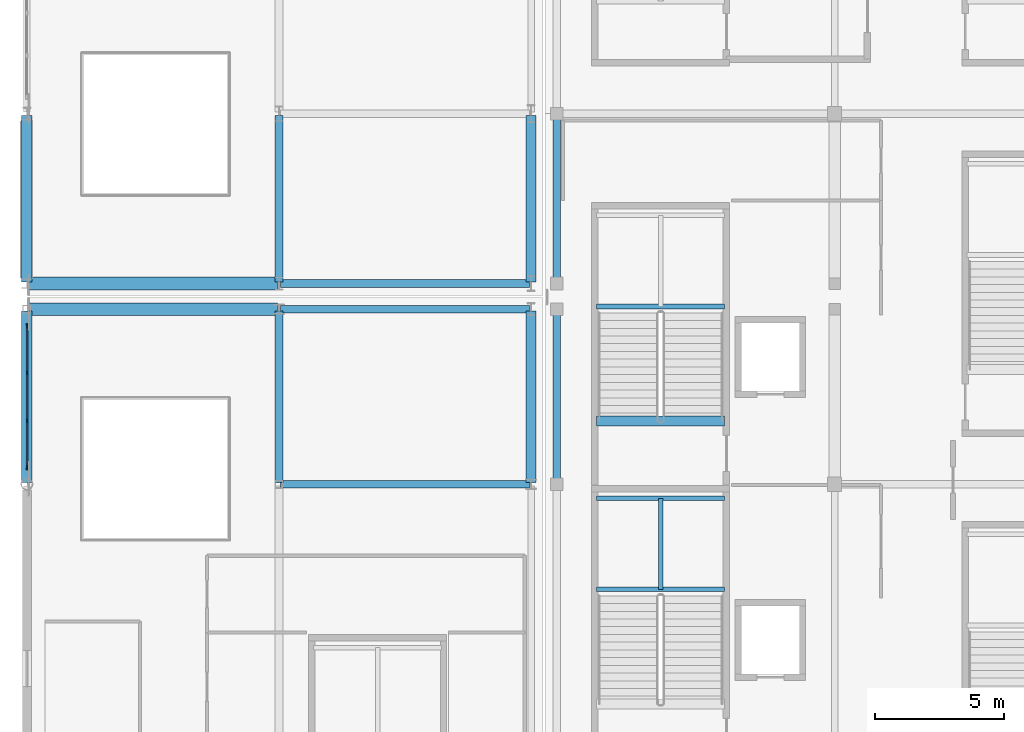
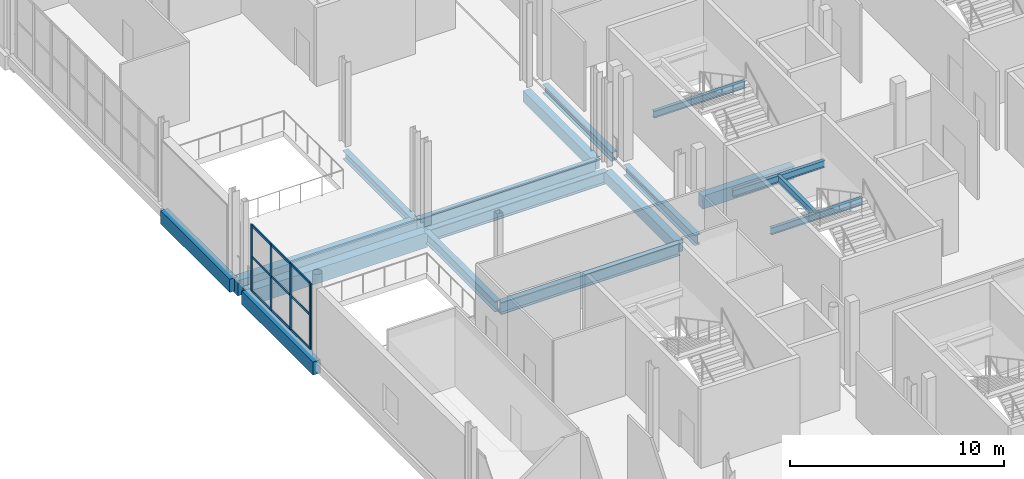
# One storey, part 26 of 129: 18 beams, 13 members, 1 element without a shape of its own.
"""IFC4 building model written with IfcOpenShell, lengths in metres."""

from ifc_helpers import new_model, si_unit, direction, frame, origin, origin_2d, place, context, subcontext, project, spatial, rectangle, i_section, extrude, material, material_profile, profile_set, type_object, element, aggregate, save


model = new_model("IFC4")

# Units and contexts
model_context = context("Model", 3, precision=1e-05, world=origin(), true_north=direction((0.0, 1.0)))
body_context = subcontext(model_context, "Body", "Model", "MODEL_VIEW")
ifc_project = project(units=[si_unit("LENGTHUNIT", "METRE"), si_unit("AREAUNIT", "SQUARE_METRE"), si_unit("VOLUMEUNIT", "CUBIC_METRE"), si_unit("PLANEANGLEUNIT", "RADIAN"), si_unit("MASSUNIT", "GRAM", prefix="KILO")], contexts=[model_context])

# Site, building, storey
site_placement = place(None, origin())
site = spatial("IfcSite", under=ifc_project, at=site_placement, CompositionType="ELEMENT")
building_placement = place(site_placement, origin())
building = spatial("IfcBuilding", under=site, at=building_placement, Name="Koshinbarg Plaza Stadium", CompositionType="ELEMENT")
storey_placement = place(building_placement, frame((0.0, 0.0, 5.39990234375)))
storey = spatial("IfcBuildingStorey", under=building, at=storey_placement, Name="L01", CompositionType="ELEMENT", Elevation=5.39990234375)

# Beams
ifc_material_1 = material(Name="Concrete C40/50", Category="concrete")
ifc_material_profile_1 = material_profile(ifc_material_1, rectangle(XDim=0.39990234375, YDim=0.64990234375, at=origin_2d()), Name="RC 400x650")
ifc_profile_set_1 = profile_set([ifc_material_profile_1], Name="Concrete C40/50")
beam_type_1 = type_object("IfcBeamType", Name="BM-RCG-02", PredefinedType="SPANDREL", material=ifc_profile_set_1)
beam_1_placement = place(storey_placement, frame((23.60009765625, 68.760009765625, -0.64501953125), z_axis=(0.0, 1.0, 0.0), x_axis=(-1.0, 0.0, 0.0)))
element("IfcBeam", 1, at=beam_1_placement, inside=storey, type_object=beam_type_1, Name="L01 Y girder 4/J-K", PredefinedType="SPANDREL", context=body_context, shape_type="SweptSolid", body=[
    extrude(rectangle(XDim=0.39990234375, YDim=0.64990234375, at=origin_2d()), origin(), (0.0, 0.0, 1.0), 6.679931640625),
])
beam_2_placement = place(storey_placement, frame((23.60009765625, 76.56005859375, -0.64501953125), z_axis=(0.0, 1.0, 0.0), x_axis=(-1.0, 0.0, 0.0)))
element("IfcBeam", 2, at=beam_2_placement, inside=storey, type_object=beam_type_1, Name="L01 Y girder 4/L-M", PredefinedType="SPANDREL", context=body_context, shape_type="SweptSolid", body=[
    extrude(rectangle(XDim=0.39990234375, YDim=0.64990234375, at=origin_2d()), origin(), (0.0, 0.0, 1.0), 6.47998046875),
])
ifc_material_profile_2 = material_profile(ifc_material_1, rectangle(XDim=0.39990234375, YDim=0.75, at=origin_2d()), Name="RC 400x750")
ifc_profile_set_2 = profile_set([ifc_material_profile_2], Name="Concrete C40/50")
beam_type_2 = type_object("IfcBeamType", Name="BM-RCG-03", PredefinedType="USERDEFINED", material=ifc_profile_set_2)
beam_3_placement = place(storey_placement, frame((4.0, 68.760009765625, -0.69482421875), z_axis=(0.0, 1.0, 0.0), x_axis=(-1.0, 0.0, 0.0)))
element("IfcBeam", 3, at=beam_3_placement, inside=storey, type_object=beam_type_2, Name="L01 Y girder 2/J-K", ObjectType="GIRDER", PredefinedType="USERDEFINED", context=body_context, shape_type="SweptSolid", body=[
    extrude(rectangle(XDim=0.39990234375, YDim=0.75, at=origin_2d()), origin(), (0.0, 0.0, 1.0), 6.679931640625),
])
beam_4_placement = place(storey_placement, frame((4.0, 76.56005859375, -0.69482421875), z_axis=(0.0, 1.0, 0.0), x_axis=(-1.0, 0.0, 0.0)))
element("IfcBeam", 4, at=beam_4_placement, inside=storey, type_object=beam_type_2, Name="L01 Y girder 2/L-M", ObjectType="GIRDER", PredefinedType="USERDEFINED", context=body_context, shape_type="SweptSolid", body=[
    extrude(rectangle(XDim=0.39990234375, YDim=0.75, at=origin_2d()), origin(), (0.0, 0.0, 1.0), 6.47998046875),
])
beam_5_placement = place(storey_placement, frame((26.14990234375, 71.159912109375, -0.375), z_axis=(1.0, 0.0, 0.0), x_axis=(0.0, 1.0, 0.0)))
element("IfcBeam", 5, at=beam_5_placement, inside=storey, type_object=beam_type_2, Name="L01 stair landing header beam C04", ObjectType="GIRDER", PredefinedType="USERDEFINED", context=body_context, shape_type="SweptSolid", body=[
    extrude(rectangle(XDim=0.39990234375, YDim=0.75, at=origin_2d()), origin(), (0.0, 0.0, 1.0), 4.97021484375),
])
ifc_material_profile_3 = material_profile(ifc_material_1, rectangle(XDim=0.5, YDim=0.85009765625, at=origin_2d()), Name="RC 500x850")
ifc_profile_set_3 = profile_set([ifc_material_profile_3], Name="Concrete C40/50")
beam_type_3 = type_object("IfcBeamType", Name="BM-RCG-05", PredefinedType="USERDEFINED", material=ifc_profile_set_3)
for number, where, z_axis, x_axis, name in (
    (6, (4.06005859375, 75.5, -0.744873046875), (1.0, 0.0, 0.0), (0.0, 1.0, 0.0), "L01 X girder K/2-3"),
    (7, (4.06005859375, 76.5, -0.744873046875), (1.0, 0.0, 0.0), (0.0, 1.0, 0.0), "L01 X girder L/2-3"),
):
    element("IfcBeam", number, at=place(storey_placement, frame(where, z_axis=z_axis, x_axis=x_axis)), inside=storey, type_object=beam_type_3, Name=name, ObjectType="GIRDER", PredefinedType="USERDEFINED", context=body_context, shape_type="SweptSolid", body=[
        extrude(rectangle(XDim=0.5, YDim=0.85009765625, at=origin_2d()), origin(), (0.0, 0.0, 1.0), 9.679931640625),
    ])
ifc_material_2 = material(Name="Steel S355", Category="steel")
ifc_material_profile_4 = material_profile(ifc_material_2, i_section(OverallWidth=0.179931640625, OverallDepth=0.39990234375, WebThickness=0.008544921875, FlangeThickness=0.013427734375, at=origin_2d()), Name="IPE 400")
ifc_profile_set_4 = profile_set([ifc_material_profile_4], Name="Steel S355")
beam_type_4 = type_object("IfcBeamType", Name="BM-SBM-01", PredefinedType="BEAM", material=ifc_profile_set_4)
for number, where, z_axis, x_axis, name in (
    (8, (26.14990234375, 64.610107421875, 1.880126953125), (1.0, 0.0, 0.0), (0.0, 1.0, 0.0), "L01 Protected Exit Stair C03 landing trimmer beam 1"),
    (9, (26.14990234375, 68.14990234375, 1.880126953125), (1.0, 0.0, 0.0), (0.0, 1.0, 0.0), "L01 Protected Exit Stair C03 landing trimmer beam 2"),
):
    element("IfcBeam", number, at=place(storey_placement, frame(where, z_axis=z_axis, x_axis=x_axis)), inside=storey, type_object=beam_type_4, Name=name, PredefinedType="BEAM", context=body_context, shape_type="SweptSolid", body=[
        extrude(i_section(OverallWidth=0.179931640625, OverallDepth=0.39990234375, WebThickness=0.008544921875, FlangeThickness=0.013427734375, at=origin_2d()), origin(), (0.0, 0.0, 1.0), 4.97021484375),
    ])
beam_6_placement = place(storey_placement, frame((28.635009765625, 64.610107421875, 1.880126953125), z_axis=(0.0, 1.0, 0.0), x_axis=(-1.0, 0.0, 0.0)))
element("IfcBeam", 10, at=beam_6_placement, inside=storey, type_object=beam_type_4, Name="L01 Protected Exit Stair C03 landing trimmer beam 3", PredefinedType="BEAM", context=body_context, shape_type="SweptSolid", body=[
    extrude(i_section(OverallWidth=0.179931640625, OverallDepth=0.39990234375, WebThickness=0.008544921875, FlangeThickness=0.013427734375, at=origin_2d()), origin(), (0.0, 0.0, 1.0), 3.539794921875),
])
beam_7_placement = place(storey_placement, frame((26.14990234375, 75.610107421875, 1.880126953125), z_axis=(1.0, 0.0, 0.0), x_axis=(0.0, 1.0, 0.0)))
element("IfcBeam", 11, at=beam_7_placement, inside=storey, type_object=beam_type_4, Name="L01 Protected Exit Stair C04 landing trimmer beam 1", PredefinedType="BEAM", context=body_context, shape_type="SweptSolid", body=[
    extrude(i_section(OverallWidth=0.179931640625, OverallDepth=0.39990234375, WebThickness=0.008544921875, FlangeThickness=0.013427734375, at=origin_2d()), origin(), (0.0, 0.0, 1.0), 4.97021484375),
])
ifc_material_profile_5 = material_profile(ifc_material_2, i_section(OverallWidth=0.300048828125, OverallDepth=0.5, WebThickness=0.014404296875, FlangeThickness=0.028076171875, at=origin_2d()), Name="HEB 500")
ifc_profile_set_5 = profile_set([ifc_material_profile_5], Name="Steel S355")
beam_type_5 = type_object("IfcBeamType", Name="BM-SGIR-01", PredefinedType="USERDEFINED", material=ifc_profile_set_5)
for number, where, z_axis, x_axis, name in (
    (12, (13.800048828125, 76.56005859375, -0.56982421875), (0.0, 1.0, 0.0), (-1.0, 0.0, 0.0), "L01 Y girder 3/L-M"),
    (13, (24.60009765625, 76.56005859375, -0.56982421875), (0.0, 1.0, 0.0), (-1.0, 0.0, 0.0), "L01 Y girder 5/L-M"),
):
    element("IfcBeam", number, at=place(storey_placement, frame(where, z_axis=z_axis, x_axis=x_axis)), inside=storey, type_object=beam_type_5, Name=name, ObjectType="GIRDER", PredefinedType="USERDEFINED", context=body_context, shape_type="SweptSolid", body=[
        extrude(i_section(OverallWidth=0.300048828125, OverallDepth=0.5, WebThickness=0.014404296875, FlangeThickness=0.028076171875, at=origin_2d()), origin(), (0.0, 0.0, 1.0), 6.47998046875),
    ])
ifc_material_profile_6 = material_profile(ifc_material_2, i_section(OverallWidth=0.300048828125, OverallDepth=0.60009765625, WebThickness=0.015380859375, FlangeThickness=0.030029296875, at=origin_2d()), Name="HEB 600")
ifc_profile_set_6 = profile_set([ifc_material_profile_6], Name="Steel S355")
beam_type_6 = type_object("IfcBeamType", Name="BM-SGIR-02", PredefinedType="USERDEFINED", material=ifc_profile_set_6)
for number, where, z_axis, x_axis, name in (
    (14, (13.800048828125, 68.760009765625, -0.619873046875), (0.0, 1.0, 0.0), (-1.0, 0.0, 0.0), "L01 Y girder 3/J-K"),
    (15, (24.60009765625, 68.760009765625, -0.619873046875), (0.0, 1.0, 0.0), (-1.0, 0.0, 0.0), "L01 Y girder 5/J-K"),
):
    element("IfcBeam", number, at=place(storey_placement, frame(where, z_axis=z_axis, x_axis=x_axis)), inside=storey, type_object=beam_type_6, Name=name, ObjectType="GIRDER", PredefinedType="USERDEFINED", context=body_context, shape_type="SweptSolid", body=[
        extrude(i_section(OverallWidth=0.300048828125, OverallDepth=0.60009765625, WebThickness=0.015380859375, FlangeThickness=0.030029296875, at=origin_2d()), origin(), (0.0, 0.0, 1.0), 6.679931640625),
    ])
ifc_material_profile_7 = material_profile(ifc_material_2, i_section(OverallWidth=0.300048828125, OverallDepth=0.699951171875, WebThickness=0.01708984375, FlangeThickness=0.031982421875, at=origin_2d()), Name="HEB 700")
ifc_profile_set_7 = profile_set([ifc_material_profile_7], Name="Steel S355")
beam_type_7 = type_object("IfcBeamType", Name="BM-SGIR-03", PredefinedType="USERDEFINED", material=ifc_profile_set_7)
for number, where, z_axis, x_axis, name in (
    (16, (13.860107421875, 68.699951171875, -0.669921875), (1.0, 0.0, 0.0), (0.0, 1.0, 0.0), "L01 X girder J/3-4"),
    (17, (13.860107421875, 75.5, -0.669921875), (1.0, 0.0, 0.0), (0.0, 1.0, 0.0), "L01 X girder K/3-4"),
    (18, (13.860107421875, 76.5, -0.669921875), (1.0, 0.0, 0.0), (0.0, 1.0, 0.0), "L01 X girder L/3-4"),
):
    element("IfcBeam", number, at=place(storey_placement, frame(where, z_axis=z_axis, x_axis=x_axis)), inside=storey, type_object=beam_type_7, Name=name, ObjectType="GIRDER", PredefinedType="USERDEFINED", context=body_context, shape_type="SweptSolid", body=[
        extrude(i_section(OverallWidth=0.300048828125, OverallDepth=0.699951171875, WebThickness=0.01708984375, FlangeThickness=0.031982421875, at=origin_2d()), origin(), (0.0, 0.0, 1.0), 9.679931640625),
    ])

# Curtain wall, members
ifc_material_3 = material(Name="Thermally broken anodised aluminium and low-E double glazing", Category="aluminium")
curtain_wall_type = type_object("IfcCurtainWallType", Name="CW-SYS-06", PredefinedType="NOTDEFINED", material=ifc_material_3)
curtain_wall_placement = place(storey_placement, origin())
curtain_wall = element("IfcCurtainWall", 19, at=curtain_wall_placement, inside=storey, type_object=curtain_wall_type, Name="L01 unitised curtain wall CW-L01-005", PredefinedType="NOTDEFINED")
ifc_material_4 = material(Name="Anodised aluminium mullion", Category="aluminium")
ifc_material_profile_8 = material_profile(ifc_material_4, rectangle(XDim=0.06005859375, YDim=0.159912109375, at=origin_2d()), Name="ALU 60x160")
ifc_profile_set_8 = profile_set([ifc_material_profile_8], Name="Anodised aluminium mullion")
member_type_1 = type_object("IfcMemberType", Name="CW-MUL-02", PredefinedType="MULLION", material=ifc_profile_set_8)
member_1_placement = place(storey_placement, frame((4.0, 69.35009765625, 0.0), z_axis=(0.0, 0.0, 1.0), x_axis=(-1.0, 0.0, 0.0)))
member_1 = element("IfcMember", 20, at=member_1_placement, type_object=member_type_1, Name="CW06 mullion 1", PredefinedType="MULLION", context=body_context, shape_type="SweptSolid", body=[
    extrude(rectangle(XDim=0.06005859375, YDim=0.159912109375, at=origin_2d()), origin(), (0.0, 0.0, 1.0), 3.780029296875),
])
member_2_placement = place(storey_placement, frame((4.0, 71.17333984375, 0.0), z_axis=(0.0, 0.0, 1.0), x_axis=(-1.0, 0.0, 0.0)))
member_2 = element("IfcMember", 21, at=member_2_placement, type_object=member_type_1, Name="CW06 mullion 2", PredefinedType="MULLION", context=body_context, shape_type="SweptSolid", body=[
    extrude(rectangle(XDim=0.06005859375, YDim=0.159912109375, at=origin_2d()), origin(), (0.0, 0.0, 1.0), 3.780029296875),
])
member_3_placement = place(storey_placement, frame((4.0, 73.026611328125, 0.0), z_axis=(0.0, 0.0, 1.0), x_axis=(-1.0, 0.0, 0.0)))
member_3 = element("IfcMember", 22, at=member_3_placement, type_object=member_type_1, Name="CW06 mullion 3", PredefinedType="MULLION", context=body_context, shape_type="SweptSolid", body=[
    extrude(rectangle(XDim=0.06005859375, YDim=0.159912109375, at=origin_2d()), origin(), (0.0, 0.0, 1.0), 3.780029296875),
])
member_4_placement = place(storey_placement, frame((4.0, 74.85009765625, 0.0), z_axis=(0.0, 0.0, 1.0), x_axis=(-1.0, 0.0, 0.0)))
member_4 = element("IfcMember", 23, at=member_4_placement, type_object=member_type_1, Name="CW06 mullion 4", PredefinedType="MULLION", context=body_context, shape_type="SweptSolid", body=[
    extrude(rectangle(XDim=0.06005859375, YDim=0.159912109375, at=origin_2d()), origin(), (0.0, 0.0, 1.0), 3.780029296875),
])
ifc_material_5 = material(Name="Anodised aluminium transom", Category="aluminium")
ifc_material_profile_9 = material_profile(ifc_material_5, rectangle(XDim=0.06005859375, YDim=0.1298828125, at=origin_2d()), Name="ALU 60x130")
ifc_profile_set_9 = profile_set([ifc_material_profile_9], Name="Anodised aluminium transom")
member_type_2 = type_object("IfcMemberType", Name="CW-TRN-02", PredefinedType="USERDEFINED", material=ifc_profile_set_9)
member_5_placement = place(storey_placement, frame((4.0, 69.3798828125, 0.030029296875), z_axis=(0.0, 1.0, 0.0), x_axis=(-1.0, 0.0, 0.0)))
member_5 = element("IfcMember", 24, at=member_5_placement, type_object=member_type_2, Name="CW06 transom 1.1", ObjectType="TRANSOM", PredefinedType="USERDEFINED", context=body_context, shape_type="SweptSolid", body=[
    extrude(rectangle(XDim=0.06005859375, YDim=0.1298828125, at=origin_2d()), origin(), (0.0, 0.0, 1.0), 1.763427734375),
])
member_6_placement = place(storey_placement, frame((4.0, 69.3798828125, 1.965576171875), z_axis=(0.0, 1.0, 0.0), x_axis=(-1.0, 0.0, 0.0)))
member_6 = element("IfcMember", 25, at=member_6_placement, type_object=member_type_2, Name="CW06 transom 1.2", ObjectType="TRANSOM", PredefinedType="USERDEFINED", context=body_context, shape_type="SweptSolid", body=[
    extrude(rectangle(XDim=0.06005859375, YDim=0.1298828125, at=origin_2d()), origin(), (0.0, 0.0, 1.0), 1.763427734375),
])
member_7_placement = place(storey_placement, frame((4.0, 69.3798828125, 3.75), z_axis=(0.0, 1.0, 0.0), x_axis=(-1.0, 0.0, 0.0)))
member_7 = element("IfcMember", 26, at=member_7_placement, type_object=member_type_2, Name="CW06 transom 1.3", ObjectType="TRANSOM", PredefinedType="USERDEFINED", context=body_context, shape_type="SweptSolid", body=[
    extrude(rectangle(XDim=0.06005859375, YDim=0.1298828125, at=origin_2d()), origin(), (0.0, 0.0, 1.0), 1.763427734375),
])
member_8_placement = place(storey_placement, frame((4.0, 71.203369140625, 0.030029296875), z_axis=(0.0, 1.0, 0.0), x_axis=(-1.0, 0.0, 0.0)))
member_8 = element("IfcMember", 27, at=member_8_placement, type_object=member_type_2, Name="CW06 transom 2.1", ObjectType="TRANSOM", PredefinedType="USERDEFINED", context=body_context, shape_type="SweptSolid", body=[
    extrude(rectangle(XDim=0.06005859375, YDim=0.1298828125, at=origin_2d()), origin(), (0.0, 0.0, 1.0), 1.793212890625),
])
member_9_placement = place(storey_placement, frame((4.0, 71.203369140625, 1.965576171875), z_axis=(0.0, 1.0, 0.0), x_axis=(-1.0, 0.0, 0.0)))
member_9 = element("IfcMember", 28, at=member_9_placement, type_object=member_type_2, Name="CW06 transom 2.2", ObjectType="TRANSOM", PredefinedType="USERDEFINED", context=body_context, shape_type="SweptSolid", body=[
    extrude(rectangle(XDim=0.06005859375, YDim=0.1298828125, at=origin_2d()), origin(), (0.0, 0.0, 1.0), 1.793212890625),
])
member_10_placement = place(storey_placement, frame((4.0, 71.203369140625, 3.75), z_axis=(0.0, 1.0, 0.0), x_axis=(-1.0, 0.0, 0.0)))
member_10 = element("IfcMember", 29, at=member_10_placement, type_object=member_type_2, Name="CW06 transom 2.3", ObjectType="TRANSOM", PredefinedType="USERDEFINED", context=body_context, shape_type="SweptSolid", body=[
    extrude(rectangle(XDim=0.06005859375, YDim=0.1298828125, at=origin_2d()), origin(), (0.0, 0.0, 1.0), 1.793212890625),
])
member_11_placement = place(storey_placement, frame((4.0, 73.056640625, 0.030029296875), z_axis=(0.0, 1.0, 0.0), x_axis=(-1.0, 0.0, 0.0)))
member_11 = element("IfcMember", 30, at=member_11_placement, type_object=member_type_2, Name="CW06 transom 3.1", ObjectType="TRANSOM", PredefinedType="USERDEFINED", context=body_context, shape_type="SweptSolid", body=[
    extrude(rectangle(XDim=0.06005859375, YDim=0.1298828125, at=origin_2d()), origin(), (0.0, 0.0, 1.0), 1.763427734375),
])
member_12_placement = place(storey_placement, frame((4.0, 73.056640625, 1.965576171875), z_axis=(0.0, 1.0, 0.0), x_axis=(-1.0, 0.0, 0.0)))
member_12 = element("IfcMember", 31, at=member_12_placement, type_object=member_type_2, Name="CW06 transom 3.2", ObjectType="TRANSOM", PredefinedType="USERDEFINED", context=body_context, shape_type="SweptSolid", body=[
    extrude(rectangle(XDim=0.06005859375, YDim=0.1298828125, at=origin_2d()), origin(), (0.0, 0.0, 1.0), 1.763427734375),
])
member_13_placement = place(storey_placement, frame((4.0, 73.056640625, 3.75), z_axis=(0.0, 1.0, 0.0), x_axis=(-1.0, 0.0, 0.0)))
member_13 = element("IfcMember", 32, at=member_13_placement, type_object=member_type_2, Name="CW06 transom 3.3", ObjectType="TRANSOM", PredefinedType="USERDEFINED", context=body_context, shape_type="SweptSolid", body=[
    extrude(rectangle(XDim=0.06005859375, YDim=0.1298828125, at=origin_2d()), origin(), (0.0, 0.0, 1.0), 1.763427734375),
])
aggregate(curtain_wall, [member_1, member_2, member_3, member_4, member_5, member_6, member_7, member_8, member_9, member_10, member_11, member_12, member_13])

save(model, "model.ifc")
